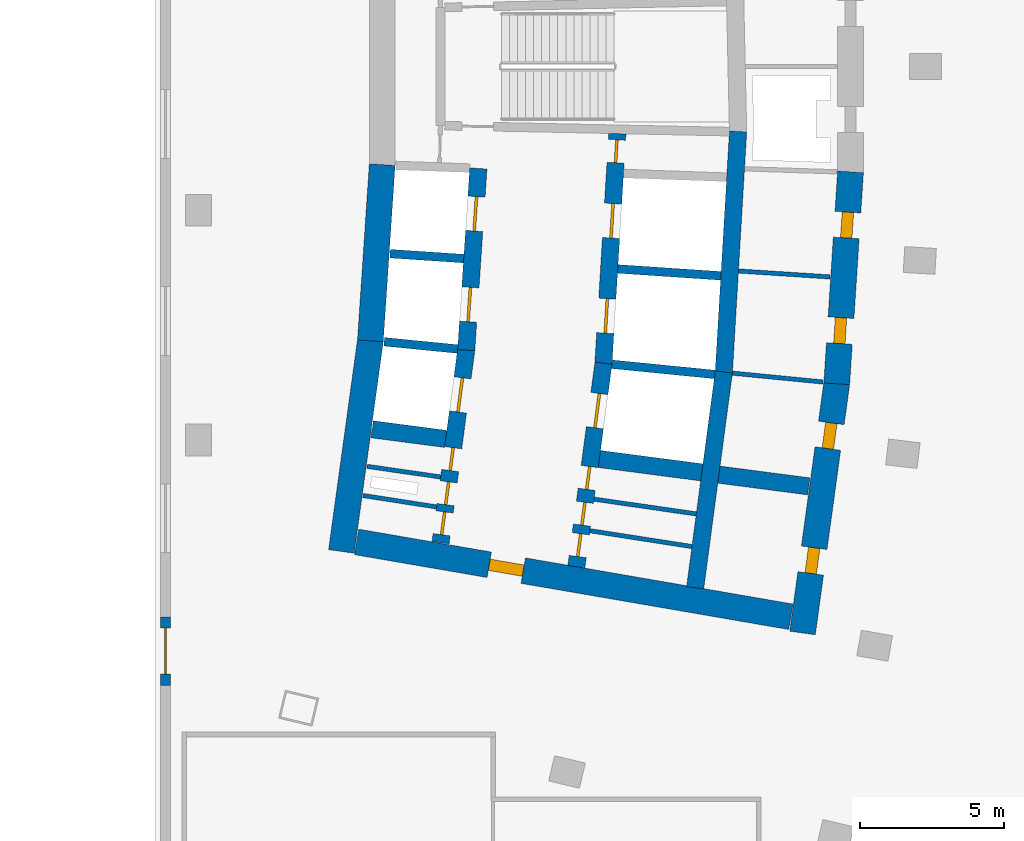
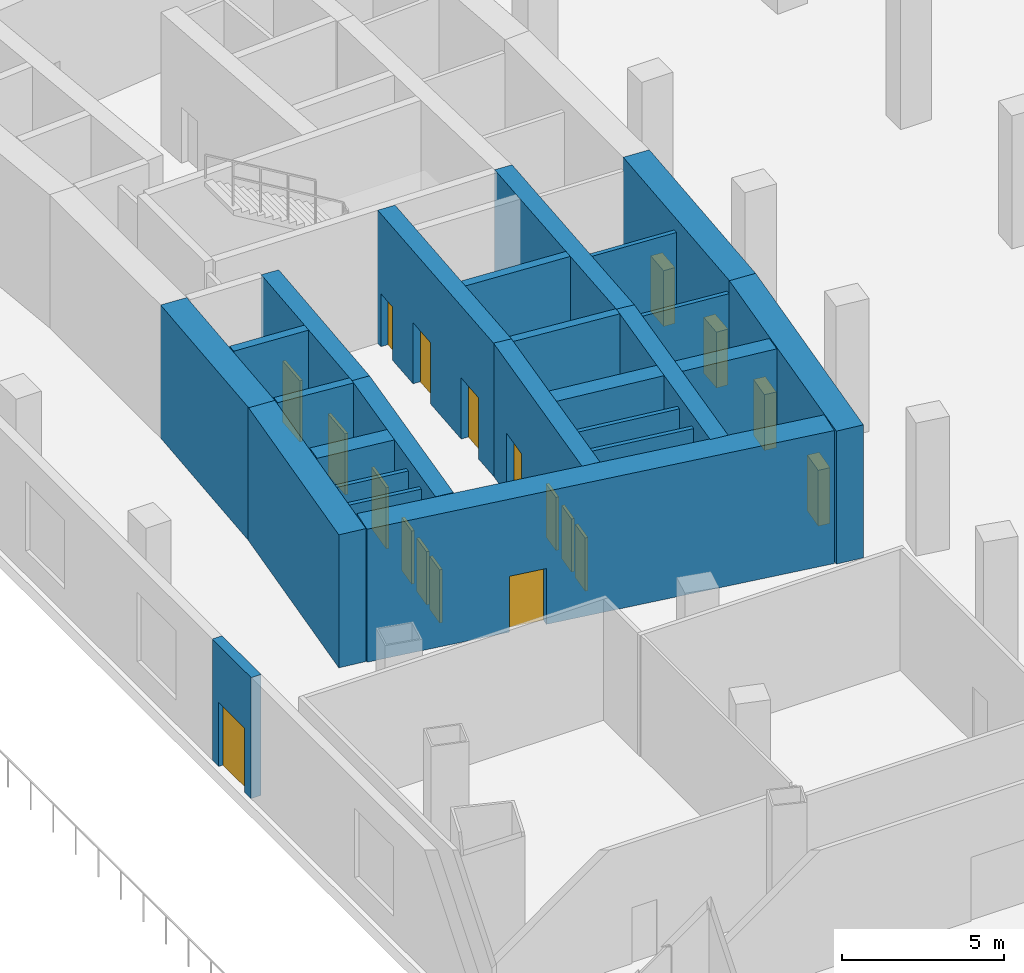
# One storey, part 4 of 15: 25 walls, 19 doors, 19 openings.
"""IFC4 building model written with IfcOpenShell, lengths in metres."""

from ifc_helpers import new_model, si_unit, direction, frame, frame_2d, origin, place, context, subcontext, project, spatial, rectangle, extrude, material, layer, layer_set, type_object, element, fill, save


model = new_model("IFC4")

# Units and contexts
model_context = context("Model", 3, precision=1e-05, world=origin(), true_north=direction((0.0, 1.0)))
body_context = subcontext(model_context, "Body", "Model", "MODEL_VIEW")
ifc_project = project(units=[si_unit("LENGTHUNIT", "METRE"), si_unit("AREAUNIT", "SQUARE_METRE"), si_unit("VOLUMEUNIT", "CUBIC_METRE"), si_unit("PLANEANGLEUNIT", "RADIAN"), si_unit("MASSUNIT", "GRAM", prefix="KILO")], contexts=[model_context])

# Site, building, storey
site_placement = place(None, origin())
site = spatial("IfcSite", under=ifc_project, at=site_placement, CompositionType="ELEMENT")
building_placement = place(site_placement, origin())
building = spatial("IfcBuilding", under=site, at=building_placement, Name="Alderwake Tower", CompositionType="ELEMENT")
storey_placement = place(building_placement, frame((0.0, 0.0, 13.5)))
storey = spatial("IfcBuildingStorey", under=building, at=storey_placement, Name="L02", CompositionType="ELEMENT", Elevation=13.5)

# Walls
ifc_material_1 = material(Name="Gypsum shaft wall system, rated")
ifc_layer_1 = layer(ifc_material_1, 0.14990234375)
ifc_layer_set_1 = layer_set([ifc_layer_1], Name="Core room partition 150")
wall_type_1 = type_object("IfcWallType", Name="Core room partition 150", PredefinedType="PARTITIONING", material=ifc_layer_set_1)
wall_1_placement = place(storey_placement, frame((16.2216796875, 46.0673828125, 0.0), z_axis=(0.0, 0.0, 1.0), x_axis=(0.988167260949, -0.153380130356, 0.0)))
element("IfcWall", 1, at=wall_1_placement, inside=storey, type_object=wall_type_1, Name="CW/L02/PR-161_+0", PredefinedType="PARTITIONING", context=body_context, shape_type="SweptSolid", body=[
    extrude(rectangle(XDim=2.593017578125, YDim=0.14990234375, at=frame_2d((1.29638671875, 0.0))), origin(), (0.0, 0.0, 1.0), 4.550048828125),
])
wall_2_placement = place(storey_placement, frame((24.117431640625, 44.842041015625, 0.0), z_axis=(0.0, 0.0, 1.0), x_axis=(0.988173903359, -0.153337329832, 0.0)))
element("IfcWall", 2, at=wall_2_placement, inside=storey, type_object=wall_type_1, Name="CW/L02/PR-161_+86", PredefinedType="PARTITIONING", context=body_context, shape_type="SweptSolid", body=[
    extrude(rectangle(XDim=3.5966796875, YDim=0.14990234375, at=frame_2d((1.79833984375, 0.0))), origin(), (0.0, 0.0, 1.0), 4.550048828125),
])
wall_3_placement = place(storey_placement, frame((16.361328125, 47.08203125, 0.0), z_axis=(0.0, 0.0, 1.0), x_axis=(0.989733250733, -0.142926877787, 0.0)))
element("IfcWall", 3, at=wall_3_placement, inside=storey, type_object=wall_type_1, Name="CW/L02/PR-150_+0", PredefinedType="PARTITIONING", context=body_context, shape_type="SweptSolid", body=[
    extrude(rectangle(XDim=2.587890625, YDim=0.14990234375, at=frame_2d((1.2939453125, 0.0))), origin(), (0.0, 0.0, 1.0), 4.550048828125),
])
wall_4_placement = place(storey_placement, frame((24.263916015625, 45.940673828125, 0.0), z_axis=(0.0, 0.0, 1.0), x_axis=(0.989732412963, -0.142932679013, 0.0)))
element("IfcWall", 4, at=wall_4_placement, inside=storey, type_object=wall_type_1, Name="CW/L02/PR-150_+86", PredefinedType="PARTITIONING", context=body_context, shape_type="SweptSolid", body=[
    extrude(rectangle(XDim=3.595458984375, YDim=0.14990234375, at=frame_2d((1.7978515625, 0.0))), origin(), (0.0, 0.0, 1.0), 4.550048828125),
])
wall_5_placement = place(storey_placement, frame((29.0791015625, 50.326416015625, 0.0), z_axis=(0.0, 0.0, 1.0), x_axis=(0.995249181795, -0.097360495766, 0.0)))
element("IfcWall", 5, at=wall_5_placement, inside=storey, type_object=wall_type_1, Name="CW/L02/PR-102_+128", PredefinedType="PARTITIONING", context=body_context, shape_type="SweptSolid", body=[
    extrude(rectangle(XDim=3.169677734375, YDim=0.14990234375, at=frame_2d((1.5849609375, 0.0))), origin(), (0.0, 0.0, 1.0), 4.550048828125),
])
wall_6_placement = place(storey_placement, frame((29.289794921875, 53.883056640625, 0.0), z_axis=(0.0, 0.0, 1.0), x_axis=(0.997885290873, -0.064999586616, 0.0)))
element("IfcWall", 6, at=wall_6_placement, inside=storey, type_object=wall_type_1, Name="CW/L02/PR-68_+128", PredefinedType="PARTITIONING", context=body_context, shape_type="SweptSolid", body=[
    extrude(rectangle(XDim=3.18896484375, YDim=0.14990234375, at=frame_2d((1.594482421875, 0.0))), origin(), (0.0, 0.0, 1.0), 4.550048828125),
])
ifc_material_2 = material(Name="Concrete C70/85", Category="concrete")
ifc_layer_2 = layer(ifc_material_2, 0.89990234375)
ifc_layer_set_2 = layer_set([ifc_layer_2], Name="Core wall outer 900 C70-85")
wall_type_2 = type_object("IfcWallType", Name="Core wall outer 900 C70-85", PredefinedType="SHEAR", material=ifc_layer_set_2)
wall_7_placement = place(storey_placement, frame((15.46923828125, 44.1201171875, 0.0), z_axis=(0.0, 0.0, 1.0), x_axis=(0.136337234661, 0.990662484626, 0.0)))
element("IfcWall", 7, at=wall_7_placement, inside=storey, type_object=wall_type_2, Name="Core wall CW.042", PredefinedType="SHEAR", context=body_context, shape_type="SweptSolid", body=[
    extrude(rectangle(XDim=7.431396484375, YDim=0.89990234375, at=frame_2d((3.7158203125, 0.0))), origin(), (0.0, 0.0, 1.0), 5.0),
])
wall_8_placement = place(storey_placement, frame((16.47900390625, 51.449951171875, 0.0), z_axis=(0.0, 0.0, 1.0), x_axis=(0.06689316208, 0.997760143956, 0.0)))
element("IfcWall", 8, at=wall_8_placement, inside=storey, type_object=wall_type_2, Name="Core wall CW.041", PredefinedType="SHEAR", context=body_context, shape_type="SweptSolid", body=[
    extrude(rectangle(XDim=6.149658203125, YDim=0.89990234375, at=frame_2d((3.07470703125, 0.0))), origin(), (0.0, 0.0, 1.0), 5.0),
])

# Wall, openings, doors
wall_9_placement = place(storey_placement, frame((32.7138671875, 49.9873046875, 0.0), z_axis=(0.0, 0.0, 1.0), x_axis=(-0.135844728876, -0.990730139663, 0.0)))
wall_9 = element("IfcWall", 9, at=wall_9_placement, inside=storey, type_object=wall_type_2, Name="Core wall CW.012", PredefinedType="SHEAR", context=body_context, shape_type="SweptSolid", body=[
    extrude(rectangle(XDim=8.78662109375, YDim=0.89990234375, at=frame_2d((4.393310546875, 0.0))), origin(), (0.0, 0.0, 1.0), 5.0),
])
opening_1_placement = place(wall_9_placement, frame((1.40673828125, 0.0, 0.0)))
opening_1 = element("IfcOpeningElement", 10, at=opening_1_placement, cuts=wall_9, Name="Opening C050", PredefinedType="OPENING", context=body_context, shape_type="SweptSolid", body=[
    extrude(rectangle(XDim=0.89990234375, YDim=2.10009765625, at=frame_2d((0.449951171875, 1.050048828125))), frame((0.0, 0.4599609375, 0.0), z_axis=(0.0, -1.0, 0.0), x_axis=(1.0, 0.0, 0.0)), (0.0, 0.0, 1.0), 0.919921875),
])
opening_2_placement = place(wall_9_placement, frame((5.79248046875, 0.0, 0.0)))
opening_2 = element("IfcOpeningElement", 11, at=opening_2_placement, cuts=wall_9, Name="Opening C061", PredefinedType="OPENING", context=body_context, shape_type="SweptSolid", body=[
    extrude(rectangle(XDim=0.89990234375, YDim=2.10009765625, at=frame_2d((0.449951171875, 1.050048828125))), frame((0.0, 0.4599609375, 0.0), z_axis=(0.0, -1.0, 0.0), x_axis=(1.0, 0.0, 0.0)), (0.0, 0.0, 1.0), 0.919921875),
])
ifc_material_3 = material(Name="Painted steel leaf", Category="steel")
door_type_1 = type_object("IfcDoorType", Name="Core room door 900", OperationType="SINGLE_SWING_LEFT", PredefinedType="DOOR", material=ifc_material_3)
door_1_placement = place(opening_1_placement, origin())
door_1 = element("IfcDoor", 12, at=door_1_placement, inside=storey, type_object=door_type_1, Name="Room door", OperationType="SINGLE_SWING_RIGHT", OverallHeight=2.10009765625, OverallWidth=0.89990234375, PredefinedType="DOOR", context=body_context, shape_type="SweptSolid", body=[
    extrude(rectangle(XDim=0.89990234375, YDim=2.10009765625, at=frame_2d((0.449951171875, 1.050048828125))), frame((0.0, 0.199951171875, 0.0), z_axis=(0.0, -1.0, 0.0), x_axis=(1.0, 0.0, 0.0)), (0.0, 0.0, 1.0), 0.39990234375),
])
fill(opening_1, door_1)
door_2_placement = place(opening_2_placement, origin())
door_2 = element("IfcDoor", 13, at=door_2_placement, inside=storey, type_object=door_type_1, Name="Room door", OperationType="SINGLE_SWING_LEFT", OverallHeight=2.10009765625, OverallWidth=0.89990234375, PredefinedType="DOOR", context=body_context, shape_type="SweptSolid", body=[
    extrude(rectangle(XDim=0.89990234375, YDim=2.10009765625, at=frame_2d((0.449951171875, 1.050048828125))), frame((0.0, 0.199951171875, 0.0), z_axis=(0.0, -1.0, 0.0), x_axis=(1.0, 0.0, 0.0)), (0.0, 0.0, 1.0), 0.39990234375),
])
fill(opening_2, door_2)

wall_10_placement = place(storey_placement, frame((33.191162109375, 57.33349609375, 0.0), z_axis=(0.0, 0.0, 1.0), x_axis=(-0.064976219143, -0.997886812693, 0.0)))
wall_10 = element("IfcWall", 14, at=wall_10_placement, inside=storey, type_object=wall_type_2, Name="Core wall CW.011", PredefinedType="SHEAR", context=body_context, shape_type="SweptSolid", body=[
    extrude(rectangle(XDim=7.39453125, YDim=0.89990234375, at=frame_2d((3.697265625, 0.0))), origin(), (0.0, 0.0, 1.0), 5.0),
])
opening_3_placement = place(wall_10_placement, frame((5.087646484375, 0.0, 0.0)))
opening_3 = element("IfcOpeningElement", 15, at=opening_3_placement, cuts=wall_10, Name="Opening C027", PredefinedType="OPENING", context=body_context, shape_type="SweptSolid", body=[
    extrude(rectangle(XDim=0.89990234375, YDim=2.10009765625, at=frame_2d((0.449951171875, 1.050048828125))), frame((0.0, 0.4599609375, 0.0), z_axis=(0.0, -1.0, 0.0), x_axis=(1.0, 0.0, 0.0)), (0.0, 0.0, 1.0), 0.919921875),
])
opening_4_placement = place(wall_10_placement, frame((1.405517578125, 0.0, 0.0)))
opening_4 = element("IfcOpeningElement", 16, at=opening_4_placement, cuts=wall_10, Name="Opening C029", PredefinedType="OPENING", context=body_context, shape_type="SweptSolid", body=[
    extrude(rectangle(XDim=0.89990234375, YDim=2.10009765625, at=frame_2d((0.449951171875, 1.050048828125))), frame((0.0, 0.4599609375, 0.0), z_axis=(0.0, -1.0, 0.0), x_axis=(1.0, 0.0, 0.0)), (0.0, 0.0, 1.0), 0.919921875),
])
door_3_placement = place(opening_3_placement, origin())
door_3 = element("IfcDoor", 17, at=door_3_placement, inside=storey, type_object=door_type_1, Name="Room door", OperationType="SINGLE_SWING_RIGHT", OverallHeight=2.10009765625, OverallWidth=0.89990234375, PredefinedType="DOOR", context=body_context, shape_type="SweptSolid", body=[
    extrude(rectangle(XDim=0.89990234375, YDim=2.10009765625, at=frame_2d((0.449951171875, 1.050048828125))), frame((0.0, 0.199951171875, 0.0), z_axis=(0.0, -1.0, 0.0), x_axis=(1.0, 0.0, 0.0)), (0.0, 0.0, 1.0), 0.39990234375),
])
fill(opening_3, door_3)
door_4_placement = place(opening_4_placement, origin())
door_4 = element("IfcDoor", 18, at=door_4_placement, inside=storey, type_object=door_type_1, Name="Room door", OperationType="SINGLE_SWING_LEFT", OverallHeight=2.10009765625, OverallWidth=0.89990234375, PredefinedType="DOOR", context=body_context, shape_type="SweptSolid", body=[
    extrude(rectangle(XDim=0.89990234375, YDim=2.10009765625, at=frame_2d((0.449951171875, 1.050048828125))), frame((0.0, 0.199951171875, 0.0), z_axis=(0.0, -1.0, 0.0), x_axis=(1.0, 0.0, 0.0)), (0.0, 0.0, 1.0), 0.39990234375),
])
fill(opening_4, door_4)

# Wall, opening, door
wall_11_placement = place(storey_placement, frame((31.11328125, 41.846923828125, 0.0), z_axis=(0.0, 0.0, 1.0), x_axis=(-0.985466640605, 0.169869067972, 0.0)))
wall_11 = element("IfcWall", 19, at=wall_11_placement, inside=storey, type_object=wall_type_2, Name="Core wall CW.070", PredefinedType="SHEAR", context=body_context, shape_type="SweptSolid", body=[
    extrude(rectangle(XDim=15.336669921875, YDim=0.89990234375, at=frame_2d((7.66845703125, 0.0))), origin(), (0.0, 0.0, 1.0), 5.0),
])
opening_5_placement = place(wall_11_placement, frame((9.451904296875, 0.0, 0.0)))
opening_5 = element("IfcOpeningElement", 20, at=opening_5_placement, cuts=wall_11, Name="Opening C003", PredefinedType="OPENING", context=body_context, shape_type="SweptSolid", body=[
    extrude(rectangle(XDim=1.199951171875, YDim=2.10009765625, at=frame_2d((0.60009765625, 1.050048828125))), frame((0.0, 0.4599609375, 0.0), z_axis=(0.0, -1.0, 0.0), x_axis=(1.0, 0.0, 0.0)), (0.0, 0.0, 1.0), 0.919921875),
])
ifc_material_4 = material(Name="Steel-framed fire door leaf", Category="steel")
door_type_2 = type_object("IfcDoorType", Name="Core lobby exit door 1200 fire-rated", OperationType="SINGLE_SWING_LEFT", PredefinedType="DOOR", material=ifc_material_4)
door_5_placement = place(opening_5_placement, origin())
door_5 = element("IfcDoor", 21, at=door_5_placement, inside=storey, type_object=door_type_2, Name="Lobby door", OperationType="SINGLE_SWING_LEFT", OverallHeight=2.10009765625, OverallWidth=1.199951171875, PredefinedType="DOOR", context=body_context, shape_type="SweptSolid", body=[
    extrude(rectangle(XDim=1.199951171875, YDim=2.10009765625, at=frame_2d((0.60009765625, 1.050048828125))), frame((0.0, 0.199951171875, 0.0), z_axis=(0.0, -1.0, 0.0), x_axis=(1.0, 0.0, 0.0)), (0.0, 0.0, 1.0), 0.39990234375),
])
fill(opening_5, door_5)

# Walls
ifc_material_5 = material(Name="Concrete C70/85", Category="concrete")
ifc_layer_3 = layer(ifc_material_5, 0.300048828125)
ifc_layer_set_3 = layer_set([ifc_layer_3], Name="Core wall shaft 300 C70-85")
wall_type_3 = type_object("IfcWallType", Name="Core wall shaft 300 C70-85", PredefinedType="SHEAR", material=ifc_layer_set_3)
wall_12_placement = place(storey_placement, frame((16.9580078125, 51.4189453125, 0.0), z_axis=(0.0, 0.0, 1.0), x_axis=(0.995153154577, -0.098337169657, 0.0)))
element("IfcWall", 22, at=wall_12_placement, inside=storey, type_object=wall_type_3, Name="Core wall CW.065", PredefinedType="SHEAR", context=body_context, shape_type="SweptSolid", body=[
    extrude(rectangle(XDim=2.569580078125, YDim=0.300048828125, at=frame_2d((1.28466796875, 0.0))), origin(), (0.0, 0.0, 1.0), 5.0),
])
wall_13_placement = place(storey_placement, frame((24.889404296875, 50.635009765625, 0.0), z_axis=(0.0, 0.0, 1.0), x_axis=(0.995156121494, -0.098307140396, 0.0)))
element("IfcWall", 23, at=wall_13_placement, inside=storey, type_object=wall_type_3, Name="Core wall CW.066", PredefinedType="SHEAR", context=body_context, shape_type="SweptSolid", body=[
    extrude(rectangle(XDim=3.595947265625, YDim=0.300048828125, at=frame_2d((1.7978515625, 0.0))), origin(), (0.0, 0.0, 1.0), 5.0),
])
wall_14_placement = place(storey_placement, frame((17.16357421875, 54.486083984375, 0.0), z_axis=(0.0, 0.0, 1.0), x_axis=(0.997758581961, -0.066916456292, 0.0)))
element("IfcWall", 24, at=wall_14_placement, inside=storey, type_object=wall_type_3, Name="Core wall CW.079", PredefinedType="SHEAR", context=body_context, shape_type="SweptSolid", body=[
    extrude(rectangle(XDim=2.568603515625, YDim=0.300048828125, at=frame_2d((1.2841796875, 0.0))), origin(), (0.0, 0.0, 1.0), 5.0),
])
wall_15_placement = place(storey_placement, frame((25.090087890625, 53.954833984375, 0.0), z_axis=(0.0, 0.0, 1.0), x_axis=(0.997758045734, -0.066924451231, 0.0)))
element("IfcWall", 25, at=wall_15_placement, inside=storey, type_object=wall_type_3, Name="Core wall CW.080", PredefinedType="SHEAR", context=body_context, shape_type="SweptSolid", body=[
    extrude(rectangle(XDim=3.596923828125, YDim=0.300048828125, at=frame_2d((1.79833984375, 0.0))), origin(), (0.0, 0.0, 1.0), 5.0),
])

# Wall, openings, doors
ifc_material_6 = material(Name="Concrete C70/85", Category="concrete")
ifc_layer_4 = layer(ifc_material_6, 0.60009765625)
ifc_layer_set_4 = layer_set([ifc_layer_4], Name="Core wall spine 600 C70-85")
wall_type_4 = type_object("IfcWallType", Name="Core wall spine 600 C70-85", PredefinedType="SHEAR", material=ifc_layer_set_4)
wall_16_placement = place(storey_placement, frame((19.815185546875, 51.14697265625, 0.0), z_axis=(0.0, 0.0, 1.0), x_axis=(-0.131854836214, -0.991269036219, 0.0)))
wall_16 = element("IfcWall", 26, at=wall_16_placement, inside=storey, type_object=wall_type_4, Name="Core wall CW.033", PredefinedType="SHEAR", context=body_context, shape_type="SweptSolid", body=[
    extrude(rectangle(XDim=6.782470703125, YDim=0.60009765625, at=frame_2d((3.39111328125, 0.0))), origin(), (0.0, 0.0, 1.0), 5.0),
])
opening_6_placement = place(wall_16_placement, frame((0.9921875, 0.0, 0.0)))
opening_6 = element("IfcOpeningElement", 27, at=opening_6_placement, cuts=wall_16, Name="Opening LD-LP1", PredefinedType="OPENING", context=body_context, shape_type="SweptSolid", body=[
    extrude(rectangle(XDim=1.199951171875, YDim=2.300048828125, at=frame_2d((0.60009765625, 1.14990234375))), frame((0.0, 0.31005859375, 0.0), z_axis=(0.0, -1.0, 0.0), x_axis=(1.0, 0.0, 0.0)), (0.0, 0.0, 1.0), 0.6201171875),
])
opening_7_placement = place(wall_16_placement, frame((5.699951171875, 0.0, 0.0)))
opening_7 = element("IfcOpeningElement", 28, at=opening_7_placement, cuts=wall_16, Name="Opening C009", PredefinedType="OPENING", context=body_context, shape_type="SweptSolid", body=[
    extrude(rectangle(XDim=0.800048828125, YDim=2.0, at=frame_2d((0.39990234375, 1.0))), frame((0.0, 0.31005859375, 0.0), z_axis=(0.0, -1.0, 0.0), x_axis=(1.0, 0.0, 0.0)), (0.0, 0.0, 1.0), 0.6201171875),
])
opening_8_placement = place(wall_16_placement, frame((4.64501953125, 0.0, 0.0)))
opening_8 = element("IfcOpeningElement", 29, at=opening_8_placement, cuts=wall_16, Name="Opening C011", PredefinedType="OPENING", context=body_context, shape_type="SweptSolid", body=[
    extrude(rectangle(XDim=0.800048828125, YDim=2.0, at=frame_2d((0.39990234375, 1.0))), frame((0.0, 0.31005859375, 0.0), z_axis=(0.0, -1.0, 0.0), x_axis=(1.0, 0.0, 0.0)), (0.0, 0.0, 1.0), 0.6201171875),
])
opening_9_placement = place(wall_16_placement, frame((3.4462890625, 0.0, 0.0)))
opening_9 = element("IfcOpeningElement", 30, at=opening_9_placement, cuts=wall_16, Name="Opening C012", PredefinedType="OPENING", context=body_context, shape_type="SweptSolid", body=[
    extrude(rectangle(XDim=0.800048828125, YDim=2.0, at=frame_2d((0.39990234375, 1.0))), frame((0.0, 0.31005859375, 0.0), z_axis=(0.0, -1.0, 0.0), x_axis=(1.0, 0.0, 0.0)), (0.0, 0.0, 1.0), 0.6201171875),
])
ifc_material_7 = material(Name="Stainless steel sliding leaf", Category="steel")
door_type_3 = type_object("IfcDoorType", Name="Lift landing door 1200", OperationType="SLIDING_TO_LEFT", PredefinedType="DOOR", material=ifc_material_7)
door_6_placement = place(opening_6_placement, origin())
door_6 = element("IfcDoor", 31, at=door_6_placement, inside=storey, type_object=door_type_3, Name="Lift landing door LP1", OperationType="SLIDING_TO_LEFT", OverallHeight=2.300048828125, OverallWidth=1.199951171875, PredefinedType="DOOR", context=body_context, shape_type="SweptSolid", body=[
    extrude(rectangle(XDim=1.199951171875, YDim=2.300048828125, at=frame_2d((0.60009765625, 1.14990234375))), frame((0.0, 0.050048828125, 0.0), z_axis=(0.0, -1.0, 0.0), x_axis=(1.0, 0.0, 0.0)), (0.0, 0.0, 1.0), 0.10009765625),
])
fill(opening_6, door_6)
ifc_material_8 = material(Name="Painted steel leaf, rated", Category="steel")
door_type_4 = type_object("IfcDoorType", Name="Riser access door 800", OperationType="SINGLE_SWING_LEFT", PredefinedType="DOOR", material=ifc_material_8)
door_7_placement = place(opening_7_placement, origin())
door_7 = element("IfcDoor", 32, at=door_7_placement, inside=storey, type_object=door_type_4, Name="Riser access door", OperationType="SINGLE_SWING_LEFT", OverallHeight=2.0, OverallWidth=0.800048828125, PredefinedType="DOOR", context=body_context, shape_type="SweptSolid", body=[
    extrude(rectangle(XDim=0.800048828125, YDim=2.0, at=frame_2d((0.39990234375, 1.0))), frame((0.0, 0.050048828125, 0.0), z_axis=(0.0, -1.0, 0.0), x_axis=(1.0, 0.0, 0.0)), (0.0, 0.0, 1.0), 0.10009765625),
])
fill(opening_7, door_7)
door_8_placement = place(opening_8_placement, origin())
door_8 = element("IfcDoor", 33, at=door_8_placement, inside=storey, type_object=door_type_4, Name="Riser access door", OperationType="SINGLE_SWING_RIGHT", OverallHeight=2.0, OverallWidth=0.800048828125, PredefinedType="DOOR", context=body_context, shape_type="SweptSolid", body=[
    extrude(rectangle(XDim=0.800048828125, YDim=2.0, at=frame_2d((0.39990234375, 1.0))), frame((0.0, 0.050048828125, 0.0), z_axis=(0.0, -1.0, 0.0), x_axis=(1.0, 0.0, 0.0)), (0.0, 0.0, 1.0), 0.10009765625),
])
fill(opening_8, door_8)
door_9_placement = place(opening_9_placement, origin())
door_9 = element("IfcDoor", 34, at=door_9_placement, inside=storey, type_object=door_type_4, Name="Riser access door", OperationType="SINGLE_SWING_LEFT", OverallHeight=2.0, OverallWidth=0.800048828125, PredefinedType="DOOR", context=body_context, shape_type="SweptSolid", body=[
    extrude(rectangle(XDim=0.800048828125, YDim=2.0, at=frame_2d((0.39990234375, 1.0))), frame((0.0, 0.050048828125, 0.0), z_axis=(0.0, -1.0, 0.0), x_axis=(1.0, 0.0, 0.0)), (0.0, 0.0, 1.0), 0.10009765625),
])
fill(opening_9, door_9)

wall_17_placement = place(storey_placement, frame((19.813232421875, 51.12646484375, 0.0), z_axis=(0.0, 0.0, 1.0), x_axis=(0.066892179723, 0.997760209816, 0.0)))
wall_17 = element("IfcWall", 35, at=wall_17_placement, inside=storey, type_object=wall_type_4, Name="Core wall CW.032", PredefinedType="SHEAR", context=body_context, shape_type="SweptSolid", body=[
    extrude(rectangle(XDim=6.339599609375, YDim=0.60009765625, at=frame_2d((3.169921875, 0.0))), origin(), (0.0, 0.0, 1.0), 5.0),
])
opening_10_placement = place(wall_17_placement, frame((0.992431640625, 0.0, 0.0)))
opening_10 = element("IfcOpeningElement", 36, at=opening_10_placement, cuts=wall_17, Name="Opening LD-LP2", PredefinedType="OPENING", context=body_context, shape_type="SweptSolid", body=[
    extrude(rectangle(XDim=1.199951171875, YDim=2.300048828125, at=frame_2d((0.60009765625, 1.14990234375))), frame((0.0, 0.31005859375, 0.0), z_axis=(0.0, -1.0, 0.0), x_axis=(1.0, 0.0, 0.0)), (0.0, 0.0, 1.0), 0.6201171875),
])
opening_11_placement = place(wall_17_placement, frame((4.157470703125, 0.0, 0.0)))
opening_11 = element("IfcOpeningElement", 37, at=opening_11_placement, cuts=wall_17, Name="Opening LD-LP3", PredefinedType="OPENING", context=body_context, shape_type="SweptSolid", body=[
    extrude(rectangle(XDim=1.199951171875, YDim=2.300048828125, at=frame_2d((0.60009765625, 1.14990234375))), frame((0.0, 0.31005859375, 0.0), z_axis=(0.0, -1.0, 0.0), x_axis=(1.0, 0.0, 0.0)), (0.0, 0.0, 1.0), 0.6201171875),
])
door_10_placement = place(opening_10_placement, origin())
door_10 = element("IfcDoor", 38, at=door_10_placement, inside=storey, type_object=door_type_3, Name="Lift landing door LP2", OperationType="SLIDING_TO_LEFT", OverallHeight=2.300048828125, OverallWidth=1.199951171875, PredefinedType="DOOR", context=body_context, shape_type="SweptSolid", body=[
    extrude(rectangle(XDim=1.199951171875, YDim=2.300048828125, at=frame_2d((0.60009765625, 1.14990234375))), frame((0.0, 0.050048828125, 0.0), z_axis=(0.0, -1.0, 0.0), x_axis=(1.0, 0.0, 0.0)), (0.0, 0.0, 1.0), 0.10009765625),
])
fill(opening_10, door_10)
door_11_placement = place(opening_11_placement, origin())
door_11 = element("IfcDoor", 39, at=door_11_placement, inside=storey, type_object=door_type_3, Name="Lift landing door LP3", OperationType="SLIDING_TO_LEFT", OverallHeight=2.300048828125, OverallWidth=1.199951171875, PredefinedType="DOOR", context=body_context, shape_type="SweptSolid", body=[
    extrude(rectangle(XDim=1.199951171875, YDim=2.300048828125, at=frame_2d((0.60009765625, 1.14990234375))), frame((0.0, 0.050048828125, 0.0), z_axis=(0.0, -1.0, 0.0), x_axis=(1.0, 0.0, 0.0)), (0.0, 0.0, 1.0), 0.10009765625),
])
fill(opening_11, door_11)

wall_18_placement = place(storey_placement, frame((23.647705078125, 43.588134765625, 0.0), z_axis=(0.0, 0.0, 1.0), x_axis=(0.132069785658, 0.991240420744, 0.0)))
wall_18 = element("IfcWall", 40, at=wall_18_placement, inside=storey, type_object=wall_type_4, Name="Core wall CW.047", PredefinedType="SHEAR", context=body_context, shape_type="SweptSolid", body=[
    extrude(rectangle(XDim=7.150390625, YDim=0.60009765625, at=frame_2d((3.5751953125, 0.0))), origin(), (0.0, 0.0, 1.0), 5.0),
])
opening_12_placement = place(wall_18_placement, frame((4.88134765625, 0.0, 0.0)))
opening_12 = element("IfcOpeningElement", 41, at=opening_12_placement, cuts=wall_18, Name="Opening LD-LP4", PredefinedType="OPENING", context=body_context, shape_type="SweptSolid", body=[
    extrude(rectangle(XDim=1.199951171875, YDim=2.300048828125, at=frame_2d((0.60009765625, 1.14990234375))), frame((0.0, 0.31005859375, 0.0), z_axis=(0.0, -1.0, 0.0), x_axis=(1.0, 0.0, 0.0)), (0.0, 0.0, 1.0), 0.6201171875),
])
opening_13_placement = place(wall_18_placement, frame((0.35791015625, 0.0, 0.0)))
opening_13 = element("IfcOpeningElement", 42, at=opening_13_placement, cuts=wall_18, Name="Opening C016", PredefinedType="OPENING", context=body_context, shape_type="SweptSolid", body=[
    extrude(rectangle(XDim=0.800048828125, YDim=2.0, at=frame_2d((0.39990234375, 1.0))), frame((0.0, 0.31005859375, 0.0), z_axis=(0.0, -1.0, 0.0), x_axis=(1.0, 0.0, 0.0)), (0.0, 0.0, 1.0), 0.6201171875),
])
opening_14_placement = place(wall_18_placement, frame((1.46337890625, 0.0, 0.0)))
opening_14 = element("IfcOpeningElement", 43, at=opening_14_placement, cuts=wall_18, Name="Opening C018", PredefinedType="OPENING", context=body_context, shape_type="SweptSolid", body=[
    extrude(rectangle(XDim=0.800048828125, YDim=2.0, at=frame_2d((0.39990234375, 1.0))), frame((0.0, 0.31005859375, 0.0), z_axis=(0.0, -1.0, 0.0), x_axis=(1.0, 0.0, 0.0)), (0.0, 0.0, 1.0), 0.6201171875),
])
opening_15_placement = place(wall_18_placement, frame((2.719482421875, 0.0, 0.0)))
opening_15 = element("IfcOpeningElement", 44, at=opening_15_placement, cuts=wall_18, Name="Opening C019", PredefinedType="OPENING", context=body_context, shape_type="SweptSolid", body=[
    extrude(rectangle(XDim=0.800048828125, YDim=2.0, at=frame_2d((0.39990234375, 1.0))), frame((0.0, 0.31005859375, 0.0), z_axis=(0.0, -1.0, 0.0), x_axis=(1.0, 0.0, 0.0)), (0.0, 0.0, 1.0), 0.6201171875),
])
door_12_placement = place(opening_12_placement, origin())
door_12 = element("IfcDoor", 45, at=door_12_placement, inside=storey, type_object=door_type_3, Name="Lift landing door LP4", OperationType="SLIDING_TO_LEFT", OverallHeight=2.300048828125, OverallWidth=1.199951171875, PredefinedType="DOOR", context=body_context, shape_type="SweptSolid", body=[
    extrude(rectangle(XDim=1.199951171875, YDim=2.300048828125, at=frame_2d((0.60009765625, 1.14990234375))), frame((0.0, 0.050048828125, 0.0), z_axis=(0.0, -1.0, 0.0), x_axis=(1.0, 0.0, 0.0)), (0.0, 0.0, 1.0), 0.10009765625),
])
fill(opening_12, door_12)
door_13_placement = place(opening_13_placement, origin())
door_13 = element("IfcDoor", 46, at=door_13_placement, inside=storey, type_object=door_type_4, Name="Riser access door", OperationType="SINGLE_SWING_RIGHT", OverallHeight=2.0, OverallWidth=0.800048828125, PredefinedType="DOOR", context=body_context, shape_type="SweptSolid", body=[
    extrude(rectangle(XDim=0.800048828125, YDim=2.0, at=frame_2d((0.39990234375, 1.0))), frame((0.0, 0.050048828125, 0.0), z_axis=(0.0, -1.0, 0.0), x_axis=(1.0, 0.0, 0.0)), (0.0, 0.0, 1.0), 0.10009765625),
])
fill(opening_13, door_13)
door_14_placement = place(opening_14_placement, origin())
door_14 = element("IfcDoor", 47, at=door_14_placement, inside=storey, type_object=door_type_4, Name="Riser access door", OperationType="SINGLE_SWING_LEFT", OverallHeight=2.0, OverallWidth=0.800048828125, PredefinedType="DOOR", context=body_context, shape_type="SweptSolid", body=[
    extrude(rectangle(XDim=0.800048828125, YDim=2.0, at=frame_2d((0.39990234375, 1.0))), frame((0.0, 0.050048828125, 0.0), z_axis=(0.0, -1.0, 0.0), x_axis=(1.0, 0.0, 0.0)), (0.0, 0.0, 1.0), 0.10009765625),
])
fill(opening_14, door_14)
door_15_placement = place(opening_15_placement, origin())
door_15 = element("IfcDoor", 48, at=door_15_placement, inside=storey, type_object=door_type_4, Name="Riser access door", OperationType="SINGLE_SWING_RIGHT", OverallHeight=2.0, OverallWidth=0.800048828125, PredefinedType="DOOR", context=body_context, shape_type="SweptSolid", body=[
    extrude(rectangle(XDim=0.800048828125, YDim=2.0, at=frame_2d((0.39990234375, 1.0))), frame((0.0, 0.050048828125, 0.0), z_axis=(0.0, -1.0, 0.0), x_axis=(1.0, 0.0, 0.0)), (0.0, 0.0, 1.0), 0.10009765625),
])
fill(opening_15, door_15)

wall_19_placement = place(storey_placement, frame((24.58984375, 50.6533203125, 0.0), z_axis=(0.0, 0.0, 1.0), x_axis=(0.060323309079, 0.998178890972, 0.0)))
wall_19 = element("IfcWall", 49, at=wall_19_placement, inside=storey, type_object=wall_type_4, Name="Core wall CW.046", PredefinedType="SHEAR", context=body_context, shape_type="SweptSolid", body=[
    extrude(rectangle(XDim=8.025634765625, YDim=0.60009765625, at=frame_2d((4.0126953125, 0.0))), origin(), (0.0, 0.0, 1.0), 5.0),
])
opening_16_placement = place(wall_19_placement, frame((1.06884765625, 0.0, 0.0)))
opening_16 = element("IfcOpeningElement", 50, at=opening_16_placement, cuts=wall_19, Name="Opening LD-LP5", PredefinedType="OPENING", context=body_context, shape_type="SweptSolid", body=[
    extrude(rectangle(XDim=1.199951171875, YDim=2.300048828125, at=frame_2d((0.60009765625, 1.14990234375))), frame((0.0, 0.31005859375, 0.0), z_axis=(0.0, -1.0, 0.0), x_axis=(1.0, 0.0, 0.0)), (0.0, 0.0, 1.0), 0.6201171875),
])
opening_17_placement = place(wall_19_placement, frame((4.38525390625, 0.0, 0.0)))
opening_17 = element("IfcOpeningElement", 51, at=opening_17_placement, cuts=wall_19, Name="Opening LD-LP6", PredefinedType="OPENING", context=body_context, shape_type="SweptSolid", body=[
    extrude(rectangle(XDim=1.199951171875, YDim=2.300048828125, at=frame_2d((0.60009765625, 1.14990234375))), frame((0.0, 0.31005859375, 0.0), z_axis=(0.0, -1.0, 0.0), x_axis=(1.0, 0.0, 0.0)), (0.0, 0.0, 1.0), 0.6201171875),
])
opening_18_placement = place(wall_19_placement, frame((7.009521484375, 0.0, 0.0)))
opening_18 = element("IfcOpeningElement", 52, at=opening_18_placement, cuts=wall_19, Name="Opening C006", PredefinedType="OPENING", context=body_context, shape_type="SweptSolid", body=[
    extrude(rectangle(XDim=0.800048828125, YDim=2.0, at=frame_2d((0.39990234375, 1.0))), frame((0.0, 0.31005859375, 0.0), z_axis=(0.0, -1.0, 0.0), x_axis=(1.0, 0.0, 0.0)), (0.0, 0.0, 1.0), 0.6201171875),
])
door_16_placement = place(opening_16_placement, origin())
door_16 = element("IfcDoor", 53, at=door_16_placement, inside=storey, type_object=door_type_3, Name="Lift landing door LP5", OperationType="SLIDING_TO_LEFT", OverallHeight=2.300048828125, OverallWidth=1.199951171875, PredefinedType="DOOR", context=body_context, shape_type="SweptSolid", body=[
    extrude(rectangle(XDim=1.199951171875, YDim=2.300048828125, at=frame_2d((0.60009765625, 1.14990234375))), frame((0.0, 0.050048828125, 0.0), z_axis=(0.0, -1.0, 0.0), x_axis=(1.0, 0.0, 0.0)), (0.0, 0.0, 1.0), 0.10009765625),
])
fill(opening_16, door_16)
door_17_placement = place(opening_17_placement, origin())
door_17 = element("IfcDoor", 54, at=door_17_placement, inside=storey, type_object=door_type_3, Name="Lift landing door LP6", OperationType="SLIDING_TO_LEFT", OverallHeight=2.300048828125, OverallWidth=1.199951171875, PredefinedType="DOOR", context=body_context, shape_type="SweptSolid", body=[
    extrude(rectangle(XDim=1.199951171875, YDim=2.300048828125, at=frame_2d((0.60009765625, 1.14990234375))), frame((0.0, 0.050048828125, 0.0), z_axis=(0.0, -1.0, 0.0), x_axis=(1.0, 0.0, 0.0)), (0.0, 0.0, 1.0), 0.10009765625),
])
fill(opening_17, door_17)
door_18_placement = place(opening_18_placement, origin())
door_18 = element("IfcDoor", 55, at=door_18_placement, inside=storey, type_object=door_type_4, Name="Riser access door", OperationType="SINGLE_SWING_RIGHT", OverallHeight=2.0, OverallWidth=0.800048828125, PredefinedType="DOOR", context=body_context, shape_type="SweptSolid", body=[
    extrude(rectangle(XDim=0.800048828125, YDim=2.0, at=frame_2d((0.39990234375, 1.0))), frame((0.0, 0.050048828125, 0.0), z_axis=(0.0, -1.0, 0.0), x_axis=(1.0, 0.0, 0.0)), (0.0, 0.0, 1.0), 0.10009765625),
])
fill(opening_18, door_18)

# Walls
wall_20_placement = place(storey_placement, frame((27.78369140625, 42.85693359375, 0.0), z_axis=(0.0, 0.0, 1.0), x_axis=(0.131768985664, 0.991280451949, 0.0)))
element("IfcWall", 56, at=wall_20_placement, inside=storey, type_object=wall_type_4, Name="Core wall CW.006", PredefinedType="SHEAR", context=body_context, shape_type="SweptSolid", body=[
    extrude(rectangle(XDim=7.576171875, YDim=0.60009765625, at=frame_2d((3.7880859375, 0.0))), origin(), (0.0, 0.0, 1.0), 5.0),
])
wall_21_placement = place(storey_placement, frame((28.77978515625, 50.34423828125, 0.0), z_axis=(0.0, 0.0, 1.0), x_axis=(0.059133840665, 0.998250063305, 0.0)))
element("IfcWall", 57, at=wall_21_placement, inside=storey, type_object=wall_type_4, Name="Core wall CW.004", PredefinedType="SHEAR", context=body_context, shape_type="SweptSolid", body=[
    extrude(rectangle(XDim=8.409912109375, YDim=0.60009765625, at=frame_2d((4.205078125, 0.0))), origin(), (0.0, 0.0, 1.0), 5.0),
])
wall_22_placement = place(storey_placement, frame((16.5390625, 48.373291015625, 0.0), z_axis=(0.0, 0.0, 1.0), x_axis=(0.99156081818, -0.129642369037, 0.0)))
element("IfcWall", 58, at=wall_22_placement, inside=storey, type_object=wall_type_4, Name="Core wall CW.067", PredefinedType="SHEAR", context=body_context, shape_type="SweptSolid", body=[
    extrude(rectangle(XDim=2.581787109375, YDim=0.60009765625, at=frame_2d((1.291015625, 0.0))), origin(), (0.0, 0.0, 1.0), 5.0),
])
wall_23_placement = place(storey_placement, frame((24.4501953125, 47.338623046875, 0.0), z_axis=(0.0, 0.0, 1.0), x_axis=(0.99155225032, -0.129707882892, 0.0)))
element("IfcWall", 59, at=wall_23_placement, inside=storey, type_object=wall_type_4, Name="Core wall CW.069", PredefinedType="SHEAR", context=body_context, shape_type="SweptSolid", body=[
    extrude(rectangle(XDim=3.594970703125, YDim=0.60009765625, at=frame_2d((1.79736328125, 0.0))), origin(), (0.0, 0.0, 1.0), 5.0),
])
wall_24_placement = place(storey_placement, frame((28.609619140625, 46.794677734375, 0.0), z_axis=(0.0, 0.0, 1.0), x_axis=(0.991551544298, -0.129713279967, 0.0)))
element("IfcWall", 60, at=wall_24_placement, inside=storey, type_object=wall_type_4, Name="Core wall CW.068", PredefinedType="SHEAR", context=body_context, shape_type="SweptSolid", body=[
    extrude(rectangle(XDim=3.152587890625, YDim=0.60009765625, at=frame_2d((1.576171875, 0.0))), origin(), (0.0, 0.0, 1.0), 5.0),
])

# Wall, opening, door
ifc_material_9 = material(Name="Precast concrete C50/60 spandrel panel", Category="concrete")
ifc_layer_5 = layer(ifc_material_9, 0.35009765625)
ifc_layer_set_5 = layer_set([ifc_layer_5], Name="External wall EW4 Precast concrete C50/60 podium")
wall_type_5 = type_object("IfcWallType", Name="External wall EW4 Precast concrete C50/60 podium", PredefinedType="SOLIDWALL", material=ifc_layer_set_5)
wall_25_placement = place(storey_placement, frame((9.35009765625, 41.847412109375, 0.0), z_axis=(0.0, 0.0, 1.0), x_axis=(0.0, -1.0, 0.0)))
wall_25 = element("IfcWall", 61, at=wall_25_placement, inside=storey, type_object=wall_type_5, Name="External wall 30", PredefinedType="SOLIDWALL", context=body_context, shape_type="SweptSolid", body=[
    extrude(rectangle(XDim=2.39990234375, YDim=0.35009765625, at=frame_2d((1.199951171875, 0.0))), origin(), (0.0, 0.0, 1.0), 4.550048828125),
])
opening_19_placement = place(wall_25_placement, frame((0.39990234375, 0.0, 0.0)))
opening_19 = element("IfcOpeningElement", 62, at=opening_19_placement, cuts=wall_25, Name="Opening D12", PredefinedType="OPENING", context=body_context, shape_type="SweptSolid", body=[
    extrude(rectangle(XDim=1.60009765625, YDim=2.39990234375, at=frame_2d((0.800048828125, 1.199951171875))), frame((0.0, 0.18505859375, 0.0), z_axis=(0.0, -1.0, 0.0), x_axis=(1.0, 0.0, 0.0)), (0.0, 0.0, 1.0), 0.3701171875),
])
ifc_material_10 = material(Name="Bronze tinted glass in aluminium frame", Category="aluminium")
door_type_5 = type_object("IfcDoorType", Name="Terrace door TD sliding", OperationType="SLIDING_TO_LEFT", PredefinedType="DOOR", material=ifc_material_10)
door_19_placement = place(opening_19_placement, origin())
door_19 = element("IfcDoor", 63, at=door_19_placement, inside=storey, type_object=door_type_5, Name="Door D12", OperationType="SLIDING_TO_LEFT", OverallHeight=2.39990234375, OverallWidth=1.60009765625, PredefinedType="DOOR", context=body_context, shape_type="SweptSolid", body=[
    extrude(rectangle(XDim=1.60009765625, YDim=2.39990234375, at=frame_2d((0.800048828125, 1.199951171875))), frame((0.0, 0.02490234375, 0.0), z_axis=(0.0, -1.0, 0.0), x_axis=(1.0, 0.0, 0.0)), (0.0, 0.0, 1.0), 0.050048828125),
])
fill(opening_19, door_19)

save(model, "model.ifc")
